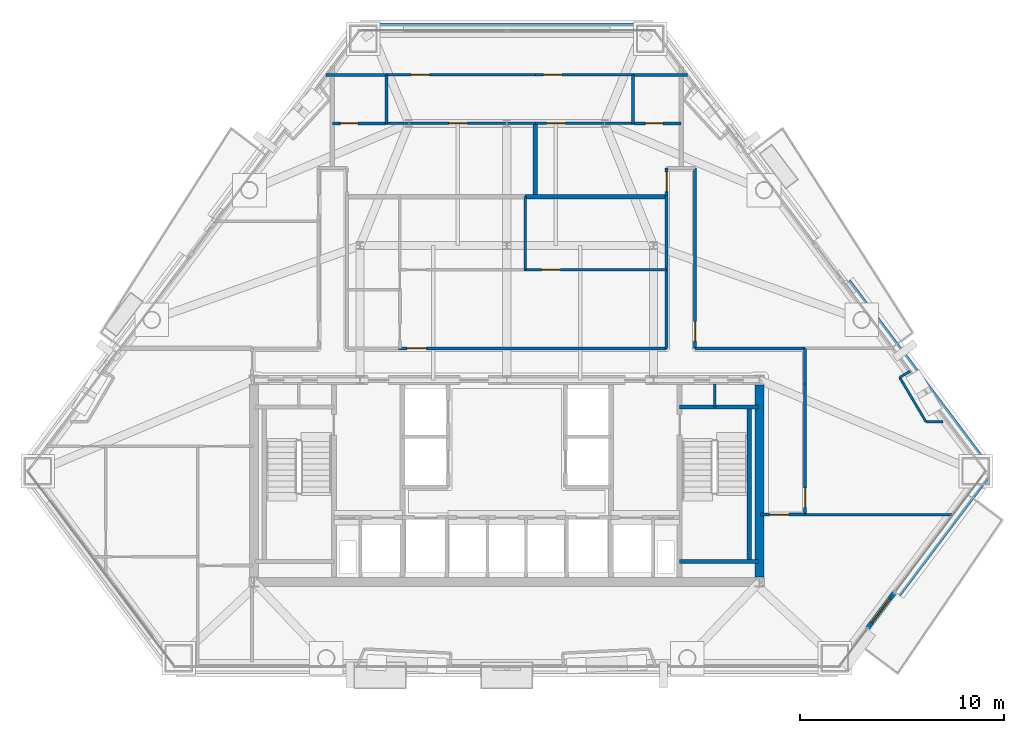
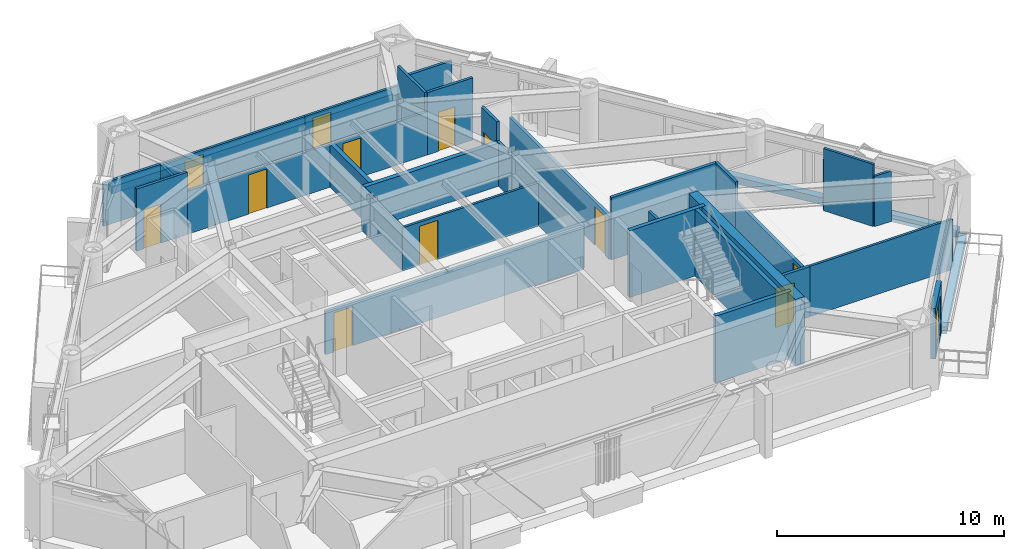
# One storey, part 8 of 11: 35 walls, 13 doors, 13 openings.
"""IFC4 building model written with IfcOpenShell, lengths in metres."""

from ifc_helpers import new_model, si_unit, direction, frame, frame_2d, origin, place, context, subcontext, project, spatial, rectangle, extrude, material, layer, layer_set, type_object, element, fill, save


model = new_model("IFC4")

# Units and contexts
model_context = context("Model", 3, precision=1e-05, world=origin(), true_north=direction((0.0, 1.0)))
body_context = subcontext(model_context, "Body", "Model", "MODEL_VIEW")
ifc_project = project(units=[si_unit("LENGTHUNIT", "METRE"), si_unit("AREAUNIT", "SQUARE_METRE"), si_unit("VOLUMEUNIT", "CUBIC_METRE"), si_unit("PLANEANGLEUNIT", "RADIAN"), si_unit("MASSUNIT", "GRAM", prefix="KILO")], contexts=[model_context])

# Site, building, storey
site_placement = place(None, origin())
site = spatial("IfcSite", under=ifc_project, at=site_placement, CompositionType="ELEMENT")
building_placement = place(site_placement, origin())
building = spatial("IfcBuilding", under=site, at=building_placement, Name="Talgorran Terracotta Tower", CompositionType="ELEMENT")
storey_placement = place(building_placement, frame((0.0, 0.0, 79.199951171875)))
storey = spatial("IfcBuildingStorey", under=building, at=storey_placement, Name="L20", CompositionType="ELEMENT", Elevation=79.199951171875)

# Wall, opening, door
ifc_material_1 = material(Name="Concrete C40/50", Category="concrete")
ifc_layer_1 = layer(ifc_material_1, 0.239990234375, Name="WT_BALCONY_SPAND")
ifc_layer_set_1 = layer_set([ifc_layer_1], Name="Concrete C40/50")
wall_type_1 = type_object("IfcWallType", Name="WT_BALCONY_SPAND", PredefinedType="STANDARD", material=ifc_layer_set_1)
wall_1_placement = place(storey_placement, frame((17.72314453125, -16.358154296875, -0.014892578125), z_axis=(0.0, 0.0, 1.0), x_axis=(0.601240548581, 0.799068083921, 0.0)))
wall_1 = element("IfcWall", 1, at=wall_1_placement, inside=storey, type_object=wall_type_1, Name="WL-L20-BALP-BAL-SE", PredefinedType="STANDARD", context=body_context, shape_type="SweptSolid", body=[
    extrude(rectangle(XDim=2.139892578125, YDim=0.239990234375, at=frame_2d((1.06982421875, 0.0))), origin(), (0.0, 0.0, 1.0), 2.728271484375),
])
opening_1_placement = place(wall_1_placement, frame((0.320068359375, 0.0, 0.014892578125)))
opening_1 = element("IfcOpeningElement", 2, at=opening_1_placement, cuts=wall_1, Name="Opening D-BAL-L20-3", PredefinedType="OPENING", context=body_context, shape_type="SweptSolid", body=[
    extrude(rectangle(XDim=1.506, YDim=2.203951171875, at=frame_2d((0.75, 1.10205078125))), frame((0.0, 0.1298828125, 0.0), z_axis=(0.0, -1.0, 0.0), x_axis=(1.0, 0.0, 0.0)), (0.0, 0.0, 1.0), 0.260009765625),
])
ifc_material_2 = material(Name="Thermally Broken Aluminium", Category="aluminium")
door_type_1 = type_object("IfcDoorType", Name="DT_BALC_1500", OperationType="SLIDING_TO_RIGHT", PredefinedType="DOOR", material=ifc_material_2)
door_1_placement = place(opening_1_placement, origin())
door_1 = element("IfcDoor", 3, at=door_1_placement, inside=storey, type_object=door_type_1, Name="DR-L20-BAL-BAL-SE", OperationType="SLIDING_TO_RIGHT", OverallHeight=2.199951171875, OverallWidth=1.5, PredefinedType="DOOR", context=body_context, shape_type="SweptSolid", body=[
    extrude(rectangle(XDim=1.5, YDim=2.199951171875, at=frame_2d((0.75, 1.10009765625))), frame((0.0, 0.02490234375, 0.0), z_axis=(0.0, -1.0, 0.0), x_axis=(1.0, 0.0, 0.0)), (0.0, 0.0, 1.0), 0.050048828125),
])
fill(opening_1, door_1)

# Walls
ifc_material_3 = material(Name="Concrete C50/60", Category="concrete")
ifc_layer_2 = layer(ifc_material_3, 0.199951171875, Name="WT_CORE_200")
ifc_layer_set_2 = layer_set([ifc_layer_2], Name="Concrete C50/60")
wall_type_2 = type_object("IfcWallType", Name="WT_CORE_200", PredefinedType="SOLIDWALL", material=ifc_layer_set_2)
for number, where, z_axis, x_axis, name in (
    (4, (8.47998046875, -5.52001953125, 0.0), (0.0, 0.0, 1.0), (1.0, 0.0, 0.0), "WL-L20-CW-ST2-N"),
    (5, (8.47998046875, -13.10009765625, 0.0), (0.0, 0.0, 1.0), (1.0, 0.0, 0.0), "WL-L20-CW-ST2-S"),
):
    element("IfcWall", number, at=place(storey_placement, frame(where, z_axis=z_axis, x_axis=x_axis)), inside=storey, type_object=wall_type_2, Name=name, PredefinedType="SOLIDWALL", context=body_context, shape_type="SweptSolid", body=[
        extrude(rectangle(XDim=3.8701171875, YDim=0.199951171875, at=frame_2d((1.93505859375, 0.0))), origin(), (0.0, 0.0, 1.0), 3.60009765625),
    ])
wall_2_placement = place(storey_placement, frame((11.89990234375, -13.10009765625, 0.0), z_axis=(0.0, 0.0, 1.0), x_axis=(0.0, 1.0, 0.0)))
element("IfcWall", 6, at=wall_2_placement, inside=storey, type_object=wall_type_2, Name="WL-L20-CW-ST2-E", PredefinedType="SOLIDWALL", context=body_context, shape_type="SweptSolid", body=[
    extrude(rectangle(XDim=7.580078125, YDim=0.199951171875, at=frame_2d((3.7900390625, 0.0))), origin(), (0.0, 0.0, 1.0), 3.60009765625),
])
ifc_material_4 = material(Name="Concrete C65/80", Category="concrete")
ifc_layer_3 = layer(ifc_material_4, 0.449951171875, Name="WT_CORE_EXT")
ifc_layer_set_3 = layer_set([ifc_layer_3], Name="Concrete C65/80")
wall_type_3 = type_object("IfcWallType", Name="WT_CORE_EXT", PredefinedType="SHEAR", material=ifc_layer_set_3)
wall_3_placement = place(storey_placement, frame((12.39990234375, -13.85009765625, 0.0), z_axis=(0.0, 0.0, 1.0), x_axis=(0.0, 1.0, 0.0)))
element("IfcWall", 7, at=wall_3_placement, inside=storey, type_object=wall_type_3, Name="WL-L20-CW-OUT-E", PredefinedType="SHEAR", context=body_context, shape_type="SweptSolid", body=[
    extrude(rectangle(XDim=9.400146484375, YDim=0.449951171875, at=frame_2d((4.7001953125, 0.0))), origin(), (0.0, 0.0, 1.0), 3.60009765625),
])

# Wall, opening, door
ifc_material_5 = material(Name="Fire-Rated Steel Stud Plasterboard", Category="steel")
ifc_layer_4 = layer(ifc_material_5, 0.14990234375, Name="WT_FIRE_150")
ifc_layer_set_4 = layer_set([ifc_layer_4], Name="Fire-Rated Steel Stud Plasterboard")
wall_type_4 = type_object("IfcWallType", Name="WT_FIRE_150", PredefinedType="PARTITIONING", material=ifc_layer_set_4)
wall_4_placement = place(storey_placement, frame((-5.320068359375, -2.639892578125, 0.0), z_axis=(0.0, 0.0, 1.0), x_axis=(1.0, 0.0, 0.0)))
wall_4 = element("IfcWall", 8, at=wall_4_placement, inside=storey, type_object=wall_type_4, Name="WL-L20-W-L20-R12", PredefinedType="PARTITIONING", context=body_context, shape_type="SweptSolid", body=[
    extrude(rectangle(XDim=13.16015625, YDim=0.14990234375, at=frame_2d((6.580078125, 0.0))), origin(), (0.0, 0.0, 1.0), 2.324951171875),
])
opening_2_placement = place(wall_4_placement, frame((0.439208984375, 0.0, 0.0)))
opening_2 = element("IfcOpeningElement", 9, at=opening_2_placement, cuts=wall_4, Name="Opening DR-L20-R11", PredefinedType="OPENING", context=body_context, shape_type="SweptSolid", body=[
    extrude(rectangle(XDim=0.955951171875, YDim=2.10409765625, at=frame_2d((0.47509765625, 1.052001953125))), frame((0.0, 0.0849609375, 0.0), z_axis=(0.0, -1.0, 0.0), x_axis=(1.0, 0.0, 0.0)), (0.0, 0.0, 1.0), 0.169921875),
])
ifc_material_6 = material(Name="Fire-Rated Timber Core", Category="wood")
door_type_2 = type_object("IfcDoorType", Name="DT_FIRE_950", OperationType="NOTDEFINED", PredefinedType="DOOR", material=ifc_material_6)
door_2_placement = place(opening_2_placement, origin())
door_2 = element("IfcDoor", 10, at=door_2_placement, inside=storey, type_object=door_type_2, Name="DR-L20-R11", OperationType="SINGLE_SWING_LEFT", OverallHeight=2.10009765625, OverallWidth=0.949951171875, PredefinedType="DOOR", context=body_context, shape_type="SweptSolid", body=[
    extrude(rectangle(XDim=0.949951171875, YDim=2.10009765625, at=frame_2d((0.47509765625, 1.050048828125))), frame((0.0, 0.02490234375, 0.0), z_axis=(0.0, -1.0, 0.0), x_axis=(1.0, 0.0, 0.0)), (0.0, 0.0, 1.0), 0.050048828125),
])
fill(opening_2, door_2)

wall_5_placement = place(storey_placement, frame((9.239990234375, -2.639892578125, 0.0), z_axis=(0.0, 0.0, 1.0), x_axis=(0.0, 1.0, 0.0)))
wall_5 = element("IfcWall", 11, at=wall_5_placement, inside=storey, type_object=wall_type_4, Name="WL-L20-W-L20-R20", PredefinedType="PARTITIONING", context=body_context, shape_type="SweptSolid", body=[
    extrude(rectangle(XDim=8.83984375, YDim=0.14990234375, at=frame_2d((4.419921875, 0.0))), origin(), (0.0, 0.0, 1.0), 2.324951171875),
])
opening_3_placement = place(wall_5_placement, frame((0.359130859375, 0.0, 0.0)))
opening_3 = element("IfcOpeningElement", 12, at=opening_3_placement, cuts=wall_5, Name="Opening DR-L20-R22", PredefinedType="OPENING", context=body_context, shape_type="SweptSolid", body=[
    extrude(rectangle(XDim=0.955951171875, YDim=2.10409765625, at=frame_2d((0.47509765625, 1.052001953125))), frame((0.0, 0.0849609375, 0.0), z_axis=(0.0, -1.0, 0.0), x_axis=(1.0, 0.0, 0.0)), (0.0, 0.0, 1.0), 0.169921875),
])
door_3_placement = place(opening_3_placement, origin())
door_3 = element("IfcDoor", 13, at=door_3_placement, inside=storey, type_object=door_type_2, Name="DR-L20-R22", OperationType="SINGLE_SWING_RIGHT", OverallHeight=2.10009765625, OverallWidth=0.949951171875, PredefinedType="DOOR", context=body_context, shape_type="SweptSolid", body=[
    extrude(rectangle(XDim=0.949951171875, YDim=2.10009765625, at=frame_2d((0.47509765625, 1.050048828125))), frame((0.0, 0.02490234375, 0.0), z_axis=(0.0, -1.0, 0.0), x_axis=(1.0, 0.0, 0.0)), (0.0, 0.0, 1.0), 0.050048828125),
])
fill(opening_3, door_3)

wall_6_placement = place(storey_placement, frame((14.639892578125, -10.800048828125, 0.0), z_axis=(0.0, 0.0, 1.0), x_axis=(0.0, 1.0, 0.0)))
wall_6 = element("IfcWall", 14, at=wall_6_placement, inside=storey, type_object=wall_type_4, Name="WL-L20-W-L20-R02", PredefinedType="PARTITIONING", context=body_context, shape_type="SweptSolid", body=[
    extrude(rectangle(XDim=6.400146484375, YDim=0.14990234375, at=frame_2d((3.2001953125, 0.0))), origin(), (0.0, 0.0, 1.0), 2.324951171875),
])
opening_4_placement = place(wall_6_placement, frame((0.358642578125, 0.0, 0.0)))
opening_4 = element("IfcOpeningElement", 15, at=opening_4_placement, cuts=wall_6, Name="Opening DR-L20-R05", PredefinedType="OPENING", context=body_context, shape_type="SweptSolid", body=[
    extrude(rectangle(XDim=0.955951171875, YDim=2.10409765625, at=frame_2d((0.47509765625, 1.052001953125))), frame((0.0, 0.0849609375, 0.0), z_axis=(0.0, -1.0, 0.0), x_axis=(1.0, 0.0, 0.0)), (0.0, 0.0, 1.0), 0.169921875),
])
door_4_placement = place(opening_4_placement, origin())
door_4 = element("IfcDoor", 16, at=door_4_placement, inside=storey, type_object=door_type_2, Name="DR-L20-R05", OperationType="SINGLE_SWING_LEFT", OverallHeight=2.10009765625, OverallWidth=0.949951171875, PredefinedType="DOOR", context=body_context, shape_type="SweptSolid", body=[
    extrude(rectangle(XDim=0.949951171875, YDim=2.10009765625, at=frame_2d((0.47509765625, 1.050048828125))), frame((0.0, 0.02490234375, 0.0), z_axis=(0.0, -1.0, 0.0), x_axis=(1.0, 0.0, 0.0)), (0.0, 0.0, 1.0), 0.050048828125),
])
fill(opening_4, door_4)

# Walls
wall_7_placement = place(storey_placement, frame((9.239990234375, -2.639892578125, 0.0), z_axis=(0.0, 0.0, 1.0), x_axis=(1.0, 0.0, 0.0)))
element("IfcWall", 17, at=wall_7_placement, inside=storey, type_object=wall_type_4, Name="WL-L20-W-L20-R21", PredefinedType="PARTITIONING", context=body_context, shape_type="SweptSolid", body=[
    extrude(rectangle(XDim=5.39990234375, YDim=0.14990234375, at=frame_2d((2.699951171875, 0.0))), origin(), (0.0, 0.0, 1.0), 3.35009765625),
])
wall_8_placement = place(storey_placement, frame((7.840087890625, -2.639892578125, 0.0), z_axis=(0.0, 0.0, 1.0), x_axis=(0.0, 1.0, 0.0)))
element("IfcWall", 18, at=wall_8_placement, inside=storey, type_object=wall_type_4, Name="WL-L20-W-L20-R13", PredefinedType="PARTITIONING", context=body_context, shape_type="SweptSolid", body=[
    extrude(rectangle(XDim=7.5, YDim=0.14990234375, at=frame_2d((3.75, 0.0))), origin(), (0.0, 0.0, 1.0), 2.324951171875),
])

# Wall, opening, door
wall_9_placement = place(storey_placement, frame((12.43994140625, -10.800048828125, 0.0), z_axis=(0.0, 0.0, 1.0), x_axis=(1.0, 0.0, 0.0)))
wall_9 = element("IfcWall", 19, at=wall_9_placement, inside=storey, type_object=wall_type_4, Name="WL-L20-W-L20-R04", PredefinedType="PARTITIONING", context=body_context, shape_type="SweptSolid", body=[
    extrude(rectangle(XDim=2.199951171875, YDim=0.14990234375, at=frame_2d((1.10009765625, 0.0))), origin(), (0.0, 0.0, 1.0), 2.71337890625),
])
opening_5_placement = place(wall_9_placement, frame((0.458984375, 0.0, 0.0)))
opening_5 = element("IfcOpeningElement", 20, at=opening_5_placement, cuts=wall_9, Name="Opening DR-L20-R06", PredefinedType="OPENING", context=body_context, shape_type="SweptSolid", body=[
    extrude(rectangle(XDim=0.955951171875, YDim=2.10409765625, at=frame_2d((0.47509765625, 1.052001953125))), frame((0.0, 0.0849609375, 0.0), z_axis=(0.0, -1.0, 0.0), x_axis=(1.0, 0.0, 0.0)), (0.0, 0.0, 1.0), 0.169921875),
])
door_5_placement = place(opening_5_placement, origin())
door_5 = element("IfcDoor", 21, at=door_5_placement, inside=storey, type_object=door_type_2, Name="DR-L20-R06", OperationType="SINGLE_SWING_RIGHT", OverallHeight=2.10009765625, OverallWidth=0.949951171875, PredefinedType="DOOR", context=body_context, shape_type="SweptSolid", body=[
    extrude(rectangle(XDim=0.949951171875, YDim=2.10009765625, at=frame_2d((0.47509765625, 1.050048828125))), frame((0.0, 0.02490234375, 0.0), z_axis=(0.0, -1.0, 0.0), x_axis=(1.0, 0.0, 0.0)), (0.0, 0.0, 1.0), 0.050048828125),
])
fill(opening_5, door_5)

# Wall
wall_10_placement = place(storey_placement, frame((14.639892578125, -4.39990234375, 0.0), z_axis=(0.0, 0.0, 1.0), x_axis=(0.0, 1.0, 0.0)))
element("IfcWall", 22, at=wall_10_placement, inside=storey, type_object=wall_type_4, Name="WL-L20-W-L20-R03", PredefinedType="PARTITIONING", context=body_context, shape_type="SweptSolid", body=[
    extrude(rectangle(XDim=1.760009765625, YDim=0.14990234375, at=frame_2d((0.8798828125, 0.0))), origin(), (0.0, 0.0, 1.0), 3.35009765625),
])

# Wall, opening, door
wall_11_placement = place(storey_placement, frame((7.840087890625, 4.862060546875, 0.0), z_axis=(0.0, 0.0, 1.0), x_axis=(0.0, 1.0, 0.0)))
wall_11 = element("IfcWall", 23, at=wall_11_placement, inside=storey, type_object=wall_type_4, Name="WL-L20-W-L20-R17", PredefinedType="PARTITIONING", context=body_context, shape_type="SweptSolid", body=[
    extrude(rectangle(XDim=1.337890625, YDim=0.14990234375, at=frame_2d((0.6689453125, 0.0))), origin(), (0.0, 0.0, 1.0), 3.35009765625),
])
opening_6_placement = place(wall_11_placement, frame((0.19091796875, 0.0, 0.0)))
opening_6 = element("IfcOpeningElement", 24, at=opening_6_placement, cuts=wall_11, Name="Opening DR-L20-R18", PredefinedType="OPENING", context=body_context, shape_type="SweptSolid", body=[
    extrude(rectangle(XDim=0.955951171875, YDim=2.10409765625, at=frame_2d((0.47509765625, 1.052001953125))), frame((0.0, 0.0849609375, 0.0), z_axis=(0.0, -1.0, 0.0), x_axis=(1.0, 0.0, 0.0)), (0.0, 0.0, 1.0), 0.169921875),
])
door_6_placement = place(opening_6_placement, origin())
door_6 = element("IfcDoor", 25, at=door_6_placement, inside=storey, type_object=door_type_2, Name="DR-L20-R18", OperationType="SINGLE_SWING_RIGHT", OverallHeight=2.10009765625, OverallWidth=0.949951171875, PredefinedType="DOOR", context=body_context, shape_type="SweptSolid", body=[
    extrude(rectangle(XDim=0.949951171875, YDim=2.10009765625, at=frame_2d((0.47509765625, 1.050048828125))), frame((0.0, 0.02490234375, 0.0), z_axis=(0.0, -1.0, 0.0), x_axis=(1.0, 0.0, 0.0)), (0.0, 0.0, 1.0), 0.050048828125),
])
fill(opening_6, door_6)

# Walls
ifc_layer_5 = layer(ifc_material_1, 0.219970703125, Name="WT_PARAPET_RC")
ifc_layer_set_5 = layer_set([ifc_layer_5], Name="Concrete C40/50")
wall_type_5 = type_object("IfcWallType", Name="WT_PARAPET_RC", PredefinedType="PARAPET", material=ifc_layer_set_5)
wall_12_placement = place(storey_placement, frame((19.191650390625, -14.67236328125, -0.199951171875), z_axis=(0.0, 0.0, 1.0), x_axis=(0.601262309509, 0.799051709944, 0.0)))
element("IfcWall", 26, at=wall_12_placement, inside=storey, type_object=wall_type_5, Name="L20 Striped Portal Precast Cornice F31", PredefinedType="PARAPET", context=body_context, shape_type="SweptSolid", body=[
    extrude(rectangle(XDim=7.267822265625, YDim=0.360107421875, at=frame_2d((3.6337890625, 0.0))), origin(), (0.0, 0.0, 1.0), 0.3798828125),
])
wall_13_placement = place(storey_placement, frame((23.5615234375, -8.480712890625, -0.199951171875), z_axis=(0.0, 0.0, 1.0), x_axis=(-0.601239151346, 0.799069135237, 0.0)))
element("IfcWall", 27, at=wall_13_placement, inside=storey, type_object=wall_type_5, Name="L20 Striped Portal Precast Cornice F40", PredefinedType="PARAPET", context=body_context, shape_type="SweptSolid", body=[
    extrude(rectangle(XDim=11.373291015625, YDim=0.360107421875, at=frame_2d((5.6865234375, 0.0))), origin(), (0.0, 0.0, 1.0), 0.3798828125),
])
wall_14_placement = place(storey_placement, frame((7.154052734375, 13.11279296875, -0.199951171875), z_axis=(0.0, 0.0, 1.0), x_axis=(-1.0, 0.0, 0.0)))
element("IfcWall", 28, at=wall_14_placement, inside=storey, type_object=wall_type_5, Name="L20 Striped Portal Precast Cornice F4", PredefinedType="PARAPET", context=body_context, shape_type="SweptSolid", body=[
    extrude(rectangle(XDim=14.30810546875, YDim=0.360107421875, at=frame_2d((7.154052734375, 0.0))), origin(), (0.0, 0.0, 1.0), 0.3798828125),
])
ifc_material_7 = material(Name="Acoustic Masonry and Plasterboard", Category="masonry")
ifc_layer_6 = layer(ifc_material_7, 0.219970703125, Name="WT_PARTY_220")
ifc_layer_set_6 = layer_set([ifc_layer_6], Name="Acoustic Masonry and Plasterboard")
wall_type_6 = type_object("IfcWallType", Name="WT_PARTY_220", PredefinedType="PARTITIONING", material=ifc_layer_set_6)
wall_15_placement = place(storey_placement, frame((0.89990234375, 4.800048828125, 0.0), z_axis=(0.0, 0.0, 1.0), x_axis=(1.0, 0.0, 0.0)))
element("IfcWall", 29, at=wall_15_placement, inside=storey, type_object=wall_type_6, Name="WL-L20-W-L20-R48", PredefinedType="PARTITIONING", context=body_context, shape_type="SweptSolid", body=[
    extrude(rectangle(XDim=6.940185546875, YDim=0.219970703125, at=frame_2d((3.47021484375, 0.0))), origin(), (0.0, 0.0, 1.0), 2.324951171875),
])
wall_16_placement = place(storey_placement, frame((1.39990234375, 4.905029296875, 0.0), z_axis=(0.0, 0.0, 1.0), x_axis=(0.0, 1.0, 0.0)))
element("IfcWall", 30, at=wall_16_placement, inside=storey, type_object=wall_type_6, Name="WL-L20-W-L20-R51", PredefinedType="PARTITIONING", context=body_context, shape_type="SweptSolid", body=[
    extrude(rectangle(XDim=3.43994140625, YDim=0.219970703125, at=frame_2d((1.719970703125, 0.0))), origin(), (0.0, 0.0, 1.0), 2.324951171875),
])
ifc_material_8 = material(Name="Insulated Steel Stud Plasterboard", Category="steel")
ifc_layer_7 = layer(ifc_material_8, 0.1201171875, Name="WT_PART_120")
ifc_layer_set_7 = layer_set([ifc_layer_7], Name="Insulated Steel Stud Plasterboard")
wall_type_7 = type_object("IfcWallType", Name="WT_PART_120", PredefinedType="PARTITIONING", material=ifc_layer_set_7)
wall_17_placement = place(storey_placement, frame((10.199951171875, -5.52001953125, 0.0), z_axis=(0.0, 0.0, 1.0), x_axis=(0.0, 1.0, 0.0)))
element("IfcWall", 31, at=wall_17_placement, inside=storey, type_object=wall_type_7, Name="WL-L20-CW-CSE-DIV", PredefinedType="PARTITIONING", context=body_context, shape_type="SweptSolid", body=[
    extrude(rectangle(XDim=1.1201171875, YDim=0.1201171875, at=frame_2d((0.56005859375, 0.0))), origin(), (0.0, 0.0, 1.0), 3.35009765625),
])

# Wall, opening, door
wall_18_placement = place(storey_placement, frame((-5.9599609375, 8.39990234375, 0.0), z_axis=(0.0, 0.0, 1.0), x_axis=(1.0, 0.0, 0.0)))
wall_18 = element("IfcWall", 32, at=wall_18_placement, inside=storey, type_object=wall_type_7, Name="WL-L20-W-L20-R50", PredefinedType="PARTITIONING", context=body_context, shape_type="SweptSolid", body=[
    extrude(rectangle(XDim=7.35986328125, YDim=0.1201171875, at=frame_2d((3.679931640625, 0.0))), origin(), (0.0, 0.0, 1.0), 2.324951171875),
])
opening_7_placement = place(wall_18_placement, frame((3.1201171875, 0.0, 0.0)))
opening_7 = element("IfcOpeningElement", 33, at=opening_7_placement, cuts=wall_18, Name="Opening DR-L20-R16", PredefinedType="OPENING", context=body_context, shape_type="SweptSolid", body=[
    extrude(rectangle(XDim=0.925921875, YDim=2.10409765625, at=frame_2d((0.4599609375, 1.052001953125))), frame((0.0, 0.070068359375, 0.0), z_axis=(0.0, -1.0, 0.0), x_axis=(1.0, 0.0, 0.0)), (0.0, 0.0, 1.0), 0.14013671875),
])
ifc_material_9 = material(Name="Solid-Core Painted Timber", Category="wood")
door_type_3 = type_object("IfcDoorType", Name="DT_INT_920", OperationType="NOTDEFINED", PredefinedType="DOOR", material=ifc_material_9)
door_7_placement = place(opening_7_placement, origin())
door_7 = element("IfcDoor", 34, at=door_7_placement, inside=storey, type_object=door_type_3, Name="DR-L20-R16", OperationType="SINGLE_SWING_RIGHT", OverallHeight=2.10009765625, OverallWidth=0.919921875, PredefinedType="DOOR", context=body_context, shape_type="SweptSolid", body=[
    extrude(rectangle(XDim=0.919921875, YDim=2.10009765625, at=frame_2d((0.4599609375, 1.050048828125))), frame((0.0, 0.02490234375, 0.0), z_axis=(0.0, -1.0, 0.0), x_axis=(1.0, 0.0, 0.0)), (0.0, 0.0, 1.0), 0.050048828125),
])
fill(opening_7, door_7)

wall_19_placement = place(storey_placement, frame((-5.89990234375, 10.780029296875, 0.0), z_axis=(0.0, 0.0, 1.0), x_axis=(1.0, 0.0, 0.0)))
wall_19 = element("IfcWall", 35, at=wall_19_placement, inside=storey, type_object=wall_type_7, Name="WL-L20-W-L20-R54", PredefinedType="PARTITIONING", context=body_context, shape_type="SweptSolid", body=[
    extrude(rectangle(XDim=7.2998046875, YDim=0.1201171875, at=frame_2d((3.64990234375, 0.0))), origin(), (0.0, 0.0, 1.0), 2.324951171875),
])
opening_8_placement = place(wall_19_placement, frame((1.196533203125, 0.0, 0.0)))
opening_8 = element("IfcOpeningElement", 36, at=opening_8_placement, cuts=wall_19, Name="Opening DR-L20-R17", PredefinedType="OPENING", context=body_context, shape_type="SweptSolid", body=[
    extrude(rectangle(XDim=0.925921875, YDim=2.10409765625, at=frame_2d((0.4599609375, 1.052001953125))), frame((0.0, 0.070068359375, 0.0), z_axis=(0.0, -1.0, 0.0), x_axis=(1.0, 0.0, 0.0)), (0.0, 0.0, 1.0), 0.14013671875),
])
door_8_placement = place(opening_8_placement, origin())
door_8 = element("IfcDoor", 37, at=door_8_placement, inside=storey, type_object=door_type_3, Name="DR-L20-R17", OperationType="SINGLE_SWING_LEFT", OverallHeight=2.10009765625, OverallWidth=0.919921875, PredefinedType="DOOR", context=body_context, shape_type="SweptSolid", body=[
    extrude(rectangle(XDim=0.919921875, YDim=2.10009765625, at=frame_2d((0.4599609375, 1.050048828125))), frame((0.0, 0.02490234375, 0.0), z_axis=(0.0, -1.0, 0.0), x_axis=(1.0, 0.0, 0.0)), (0.0, 0.0, 1.0), 0.050048828125),
])
fill(opening_8, door_8)

# Wall
wall_20_placement = place(storey_placement, frame((14.639892578125, -10.800048828125, 0.0), z_axis=(0.0, 0.0, 1.0), x_axis=(1.0, 0.0, 0.0)))
element("IfcWall", 38, at=wall_20_placement, inside=storey, type_object=wall_type_7, Name="WL-L20-W-L20-R33", PredefinedType="PARTITIONING", context=body_context, shape_type="SweptSolid", body=[
    extrude(rectangle(XDim=7.265380859375, YDim=0.1201171875, at=frame_2d((3.6328125, 0.0))), origin(), (0.0, 0.0, 1.0), 2.71337890625),
])

# Wall, opening, door
wall_21_placement = place(storey_placement, frame((0.840087890625, 1.219970703125, 0.0), z_axis=(0.0, 0.0, 1.0), x_axis=(1.0, 0.0, 0.0)))
wall_21 = element("IfcWall", 39, at=wall_21_placement, inside=storey, type_object=wall_type_7, Name="WL-L20-W-L20-R44", PredefinedType="PARTITIONING", context=body_context, shape_type="SweptSolid", body=[
    extrude(rectangle(XDim=7.0, YDim=0.1201171875, at=frame_2d((3.5, 0.0))), origin(), (0.0, 0.0, 1.0), 2.324951171875),
])
opening_9_placement = place(wall_21_placement, frame((0.874755859375, 0.0, 0.0)))
opening_9 = element("IfcOpeningElement", 40, at=opening_9_placement, cuts=wall_21, Name="Opening DR-L20-R13", PredefinedType="OPENING", context=body_context, shape_type="SweptSolid", body=[
    extrude(rectangle(XDim=0.925921875, YDim=2.10409765625, at=frame_2d((0.4599609375, 1.052001953125))), frame((0.0, 0.070068359375, 0.0), z_axis=(0.0, -1.0, 0.0), x_axis=(1.0, 0.0, 0.0)), (0.0, 0.0, 1.0), 0.14013671875),
])
door_9_placement = place(opening_9_placement, origin())
door_9 = element("IfcDoor", 41, at=door_9_placement, inside=storey, type_object=door_type_3, Name="DR-L20-R13", OperationType="SINGLE_SWING_LEFT", OverallHeight=2.10009765625, OverallWidth=0.919921875, PredefinedType="DOOR", context=body_context, shape_type="SweptSolid", body=[
    extrude(rectangle(XDim=0.919921875, YDim=2.10009765625, at=frame_2d((0.4599609375, 1.050048828125))), frame((0.0, 0.02490234375, 0.0), z_axis=(0.0, -1.0, 0.0), x_axis=(1.0, 0.0, 0.0)), (0.0, 0.0, 1.0), 0.050048828125),
])
fill(opening_9, door_9)

wall_22_placement = place(storey_placement, frame((1.39990234375, 8.39990234375, 0.0), z_axis=(0.0, 0.0, 1.0), x_axis=(1.0, 0.0, 0.0)))
wall_22 = element("IfcWall", 42, at=wall_22_placement, inside=storey, type_object=wall_type_7, Name="WL-L20-W-L20-R58", PredefinedType="PARTITIONING", context=body_context, shape_type="SweptSolid", body=[
    extrude(rectangle(XDim=4.860107421875, YDim=0.1201171875, at=frame_2d((2.43017578125, 0.0))), origin(), (0.0, 0.0, 1.0), 2.324951171875),
])
opening_10_placement = place(wall_22_placement, frame((0.5576171875, 0.0, 0.0)))
opening_10 = element("IfcOpeningElement", 43, at=opening_10_placement, cuts=wall_22, Name="Opening DR-L20-R20", PredefinedType="OPENING", context=body_context, shape_type="SweptSolid", body=[
    extrude(rectangle(XDim=0.925921875, YDim=2.10409765625, at=frame_2d((0.4599609375, 1.052001953125))), frame((0.0, 0.070068359375, 0.0), z_axis=(0.0, -1.0, 0.0), x_axis=(1.0, 0.0, 0.0)), (0.0, 0.0, 1.0), 0.14013671875),
])
door_10_placement = place(opening_10_placement, origin())
door_10 = element("IfcDoor", 44, at=door_10_placement, inside=storey, type_object=door_type_3, Name="DR-L20-R20", OperationType="SINGLE_SWING_RIGHT", OverallHeight=2.10009765625, OverallWidth=0.919921875, PredefinedType="DOOR", context=body_context, shape_type="SweptSolid", body=[
    extrude(rectangle(XDim=0.919921875, YDim=2.10009765625, at=frame_2d((0.4599609375, 1.050048828125))), frame((0.0, 0.02490234375, 0.0), z_axis=(0.0, -1.0, 0.0), x_axis=(1.0, 0.0, 0.0)), (0.0, 0.0, 1.0), 0.050048828125),
])
fill(opening_10, door_10)

wall_23_placement = place(storey_placement, frame((1.39990234375, 10.780029296875, 0.0), z_axis=(0.0, 0.0, 1.0), x_axis=(1.0, 0.0, 0.0)))
wall_23 = element("IfcWall", 45, at=wall_23_placement, inside=storey, type_object=wall_type_7, Name="WL-L20-W-L20-R63", PredefinedType="PARTITIONING", context=body_context, shape_type="SweptSolid", body=[
    extrude(rectangle(XDim=4.800048828125, YDim=0.1201171875, at=frame_2d((2.39990234375, 0.0))), origin(), (0.0, 0.0, 1.0), 2.324951171875),
])
opening_11_placement = place(wall_23_placement, frame((0.39697265625, 0.0, 0.0)))
opening_11 = element("IfcOpeningElement", 46, at=opening_11_placement, cuts=wall_23, Name="Opening DR-L20-R21", PredefinedType="OPENING", context=body_context, shape_type="SweptSolid", body=[
    extrude(rectangle(XDim=0.925921875, YDim=2.10409765625, at=frame_2d((0.4599609375, 1.052001953125))), frame((0.0, 0.070068359375, 0.0), z_axis=(0.0, -1.0, 0.0), x_axis=(1.0, 0.0, 0.0)), (0.0, 0.0, 1.0), 0.14013671875),
])
door_11_placement = place(opening_11_placement, origin())
door_11 = element("IfcDoor", 47, at=door_11_placement, inside=storey, type_object=door_type_3, Name="DR-L20-R21", OperationType="SINGLE_SWING_LEFT", OverallHeight=2.10009765625, OverallWidth=0.919921875, PredefinedType="DOOR", context=body_context, shape_type="SweptSolid", body=[
    extrude(rectangle(XDim=0.919921875, YDim=2.10009765625, at=frame_2d((0.4599609375, 1.050048828125))), frame((0.0, 0.02490234375, 0.0), z_axis=(0.0, -1.0, 0.0), x_axis=(1.0, 0.0, 0.0)), (0.0, 0.0, 1.0), 0.050048828125),
])
fill(opening_11, door_11)

# Walls
wall_24_placement = place(storey_placement, frame((0.89990234375, 1.219970703125, 0.0), z_axis=(0.0, 0.0, 1.0), x_axis=(0.0, 1.0, 0.0)))
element("IfcWall", 48, at=wall_24_placement, inside=storey, type_object=wall_type_7, Name="WL-L20-W-L20-R45", PredefinedType="PARTITIONING", context=body_context, shape_type="SweptSolid", body=[
    extrude(rectangle(XDim=3.580078125, YDim=0.1201171875, at=frame_2d((1.7900390625, 0.0))), origin(), (0.0, 0.0, 1.0), 2.324951171875),
])
wall_25_placement = place(storey_placement, frame((20.564697265625, -6.230712890625, 0.0), z_axis=(0.0, 0.0, 1.0), x_axis=(-0.509892834718, 0.860237930519, 0.0)))
element("IfcWall", 49, at=wall_25_placement, inside=storey, type_object=wall_type_7, Name="WL-L20-BW-L20-14", PredefinedType="PARTITIONING", context=body_context, shape_type="SweptSolid", body=[
    extrude(rectangle(XDim=2.515625, YDim=0.1201171875, at=frame_2d((1.2578125, 0.0))), origin(), (0.0, 0.0, 1.0), 3.35009765625),
])
wall_26_placement = place(storey_placement, frame((21.40771484375, -6.250732421875, 0.0), z_axis=(0.0, 0.0, 1.0), x_axis=(-0.999718148135, 0.023740772704, 0.0)))
element("IfcWall", 50, at=wall_26_placement, inside=storey, type_object=wall_type_7, Name="WL-L20-BW-L20-13", PredefinedType="PARTITIONING", context=body_context, shape_type="SweptSolid", body=[
    extrude(rectangle(XDim=0.84326171875, YDim=0.1201171875, at=frame_2d((0.421630859375, 0.0))), origin(), (0.0, 0.0, 1.0), 2.71337890625),
])
wall_27_placement = place(storey_placement, frame((19.281982421875, -4.066650390625, 0.0), z_axis=(0.0, 0.0, 1.0), x_axis=(0.86021213122, 0.50993635809, 0.0)))
element("IfcWall", 51, at=wall_27_placement, inside=storey, type_object=wall_type_7, Name="WL-L20-BW-L20-12", PredefinedType="PARTITIONING", context=body_context, shape_type="SweptSolid", body=[
    extrude(rectangle(XDim=0.599365234375, YDim=0.1201171875, at=frame_2d((0.2998046875, 0.0))), origin(), (0.0, 0.0, 1.0), 2.71337890625),
])
ifc_material_10 = material(Name="Moisture-Resistant Stud Wall")
ifc_layer_8 = layer(ifc_material_10, 0.135009765625, Name="WT_PART_135")
ifc_layer_set_8 = layer_set([ifc_layer_8], Name="Moisture-Resistant Stud Wall")
wall_type_8 = type_object("IfcWallType", Name="WT_PART_135", PredefinedType="PARTITIONING", material=ifc_layer_set_8)
wall_28_placement = place(storey_placement, frame((-8.868896484375, 10.780029296875, 0.0), z_axis=(0.0, 0.0, 1.0), x_axis=(1.0, 0.0, 0.0)))
element("IfcWall", 52, at=wall_28_placement, inside=storey, type_object=wall_type_8, Name="WL-L20-W-L20-R53", PredefinedType="PARTITIONING", context=body_context, shape_type="SweptSolid", body=[
    extrude(rectangle(XDim=2.968994140625, YDim=0.135009765625, at=frame_2d((1.484375, 0.0))), origin(), (0.0, 0.0, 1.0), 2.324951171875),
])

# Wall, opening, door
wall_29_placement = place(storey_placement, frame((-8.56005859375, 8.39990234375, 0.0), z_axis=(0.0, 0.0, 1.0), x_axis=(1.0, 0.0, 0.0)))
wall_29 = element("IfcWall", 53, at=wall_29_placement, inside=storey, type_object=wall_type_8, Name="WL-L20-W-L20-R49", PredefinedType="PARTITIONING", context=body_context, shape_type="SweptSolid", body=[
    extrude(rectangle(XDim=2.59814453125, YDim=0.135009765625, at=frame_2d((1.299072265625, 0.0))), origin(), (0.0, 0.0, 1.0), 3.35009765625),
])
opening_12_placement = place(wall_29_placement, frame((0.398193359375, 0.0, 0.0)))
opening_12 = element("IfcOpeningElement", 54, at=opening_12_placement, cuts=wall_29, Name="Opening DR-L20-R15", PredefinedType="OPENING", context=body_context, shape_type="SweptSolid", body=[
    extrude(rectangle(XDim=0.85609765625, YDim=2.10409765625, at=frame_2d((0.425048828125, 1.052001953125))), frame((0.0, 0.07763671875, 0.0), z_axis=(0.0, -1.0, 0.0), x_axis=(1.0, 0.0, 0.0)), (0.0, 0.0, 1.0), 0.155029296875),
])
ifc_material_11 = material(Name="Moisture-Resistant Solid Timber", Category="wood")
door_type_4 = type_object("IfcDoorType", Name="DT_INT_850", OperationType="NOTDEFINED", PredefinedType="DOOR", material=ifc_material_11)
door_12_placement = place(opening_12_placement, origin())
door_12 = element("IfcDoor", 55, at=door_12_placement, inside=storey, type_object=door_type_4, Name="DR-L20-R15", OperationType="SINGLE_SWING_LEFT", OverallHeight=2.10009765625, OverallWidth=0.85009765625, PredefinedType="DOOR", context=body_context, shape_type="SweptSolid", body=[
    extrude(rectangle(XDim=0.85009765625, YDim=2.10009765625, at=frame_2d((0.425048828125, 1.050048828125))), frame((0.0, 0.02490234375, 0.0), z_axis=(0.0, -1.0, 0.0), x_axis=(1.0, 0.0, 0.0)), (0.0, 0.0, 1.0), 0.050048828125),
])
fill(opening_12, door_12)

# Wall
wall_30_placement = place(storey_placement, frame((6.199951171875, 10.780029296875, 0.0), z_axis=(0.0, 0.0, 1.0), x_axis=(1.0, 0.0, 0.0)))
element("IfcWall", 56, at=wall_30_placement, inside=storey, type_object=wall_type_8, Name="WL-L20-W-L20-R61", PredefinedType="PARTITIONING", context=body_context, shape_type="SweptSolid", body=[
    extrude(rectangle(XDim=2.6689453125, YDim=0.135009765625, at=frame_2d((1.33447265625, 0.0))), origin(), (0.0, 0.0, 1.0), 2.71337890625),
])

# Wall, opening, door
wall_31_placement = place(storey_placement, frame((6.261962890625, 8.39990234375, 0.0), z_axis=(0.0, 0.0, 1.0), x_axis=(1.0, 0.0, 0.0)))
wall_31 = element("IfcWall", 57, at=wall_31_placement, inside=storey, type_object=wall_type_8, Name="WL-L20-W-L20-R57", PredefinedType="PARTITIONING", context=body_context, shape_type="SweptSolid", body=[
    extrude(rectangle(XDim=2.298095703125, YDim=0.135009765625, at=frame_2d((1.14892578125, 0.0))), origin(), (0.0, 0.0, 1.0), 3.35009765625),
])
opening_13_placement = place(wall_31_placement, frame((0.545654296875, 0.0, 0.0)))
opening_13 = element("IfcOpeningElement", 58, at=opening_13_placement, cuts=wall_31, Name="Opening DR-L20-R19", PredefinedType="OPENING", context=body_context, shape_type="SweptSolid", body=[
    extrude(rectangle(XDim=0.85609765625, YDim=2.10409765625, at=frame_2d((0.425048828125, 1.052001953125))), frame((0.0, 0.07763671875, 0.0), z_axis=(0.0, -1.0, 0.0), x_axis=(1.0, 0.0, 0.0)), (0.0, 0.0, 1.0), 0.155029296875),
])
door_13_placement = place(opening_13_placement, origin())
door_13 = element("IfcDoor", 59, at=door_13_placement, inside=storey, type_object=door_type_4, Name="DR-L20-R19", OperationType="SINGLE_SWING_LEFT", OverallHeight=2.10009765625, OverallWidth=0.85009765625, PredefinedType="DOOR", context=body_context, shape_type="SweptSolid", body=[
    extrude(rectangle(XDim=0.85009765625, YDim=2.10009765625, at=frame_2d((0.425048828125, 1.050048828125))), frame((0.0, 0.02490234375, 0.0), z_axis=(0.0, -1.0, 0.0), x_axis=(1.0, 0.0, 0.0)), (0.0, 0.0, 1.0), 0.050048828125),
])
fill(opening_13, door_13)

# Walls
wall_32_placement = place(storey_placement, frame((-5.89990234375, 8.39990234375, 0.0), z_axis=(0.0, 0.0, 1.0), x_axis=(0.0, 1.0, 0.0)))
element("IfcWall", 60, at=wall_32_placement, inside=storey, type_object=wall_type_8, Name="WL-L20-W-L20-R52", PredefinedType="PARTITIONING", context=body_context, shape_type="SweptSolid", body=[
    extrude(rectangle(XDim=2.380126953125, YDim=0.135009765625, at=frame_2d((1.18994140625, 0.0))), origin(), (0.0, 0.0, 1.0), 2.324951171875),
])
wall_33_placement = place(storey_placement, frame((6.199951171875, 8.39990234375, 0.0), z_axis=(0.0, 0.0, 1.0), x_axis=(0.0, 1.0, 0.0)))
element("IfcWall", 61, at=wall_33_placement, inside=storey, type_object=wall_type_8, Name="WL-L20-W-L20-R60", PredefinedType="PARTITIONING", context=body_context, shape_type="SweptSolid", body=[
    extrude(rectangle(XDim=2.380126953125, YDim=0.135009765625, at=frame_2d((1.18994140625, 0.0))), origin(), (0.0, 0.0, 1.0), 3.35009765625),
])

save(model, "model.ifc")
